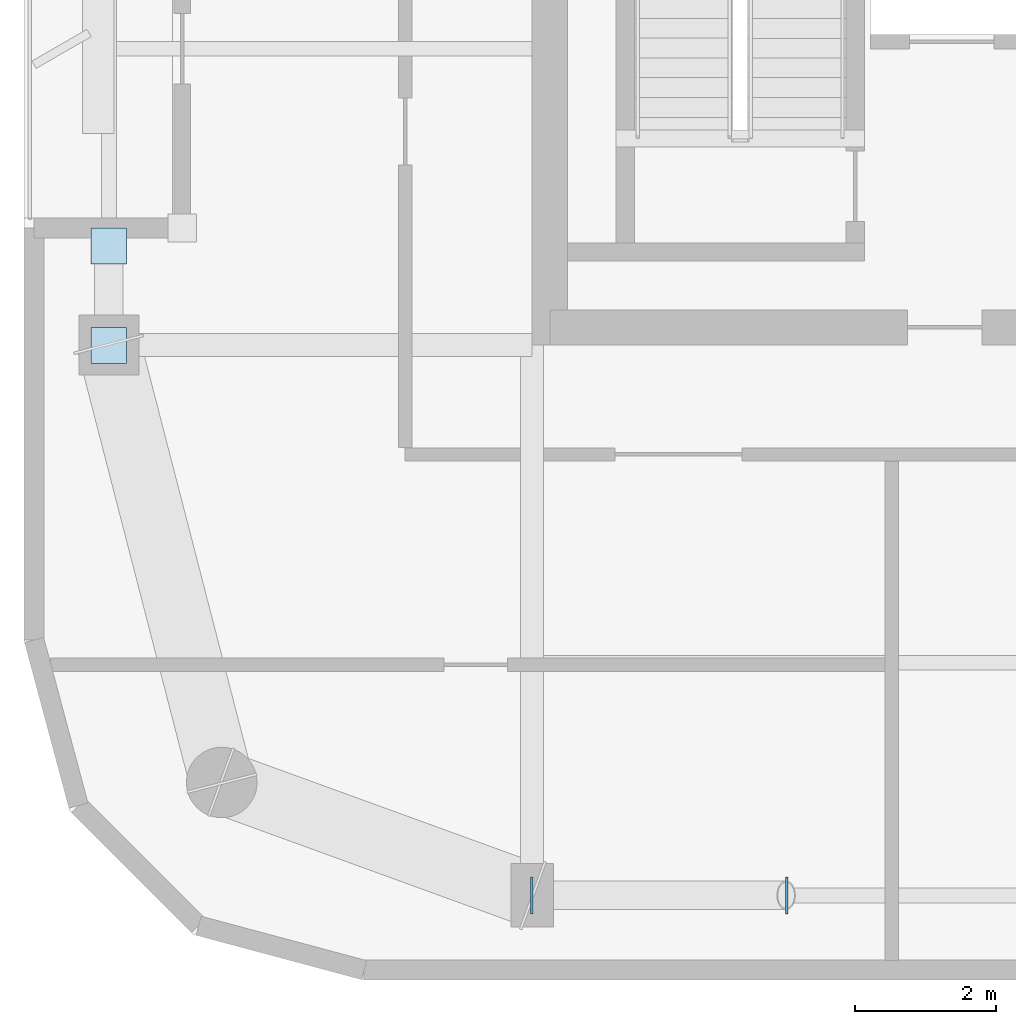
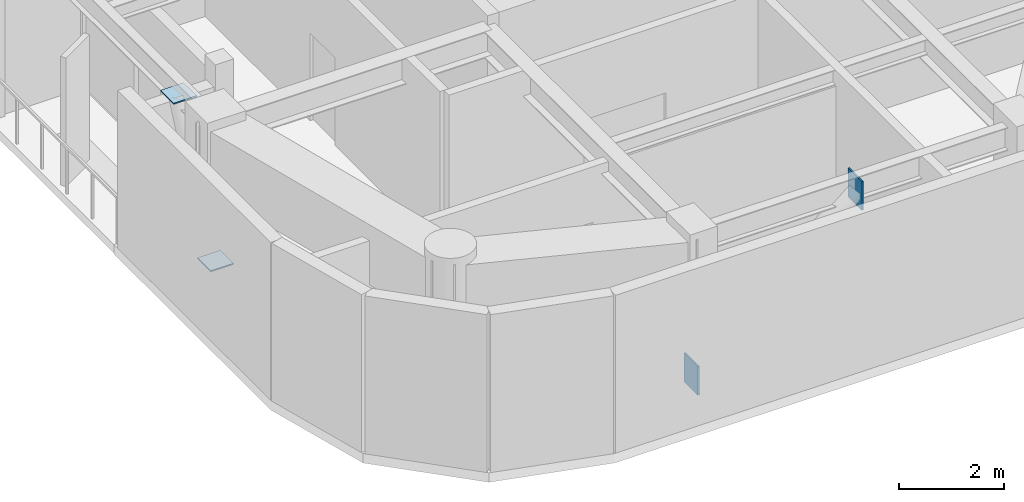
# One storey, part 8 of 16: 4 plates.
"""IFC4 building model written with IfcOpenShell, lengths in metres."""

import ifcopenshell
import ifcopenshell.guid

model = None  # the IFC model being written
_history = None  # IfcOwnerHistory: only IFC2X3 demands one
_inside = {}  # id of a spatial element -> (the spatial element, [elements in it])
_under = {}  # id of a project, library or spatial element -> (it, [spatial elements below it])
_declared = {}  # id of a project -> (the project, [libraries it declares])
_typed = {}  # id of a type object -> (the type object, [elements of that type])
_made_of = {}  # id of a material, layer set ... -> (it, [elements and type objects made of it])


def new_model(schema):
    """Start an empty IFC model of exactly this schema.

    Asked for "IFC4X3", IfcOpenShell would pick the latest addendum, in which some entities
    have other attributes; the version numbers below select the first issue.
    IFC2X3 requires an IfcOwnerHistory on every rooted entity: one is made here for all.
    """
    global model, _history
    if schema == "IFC4X3":
        model = ifcopenshell.file(schema_version=(4, 3, 0, 0))
    else:
        model = ifcopenshell.file(schema=schema)
    _inside.clear()
    _under.clear()
    _declared.clear()
    _typed.clear()
    _made_of.clear()
    _history = None
    if model.schema == "IFC2X3":
        org = make("IfcOrganization", Name="unknown")
        user = make(
            "IfcPersonAndOrganization",
            ThePerson=make("IfcPerson", FamilyName="unknown"),
            TheOrganization=org,
        )
        app = make(
            "IfcApplication",
            ApplicationDeveloper=org,
            Version="unknown",
            ApplicationFullName="unknown",
            ApplicationIdentifier="unknown",
        )
        _history = make(
            "IfcOwnerHistory",
            OwningUser=user,
            OwningApplication=app,
            ChangeAction="ADDED",
            CreationDate=0,
        )
    return model


def make(cls, **values):
    """One entity of the class cls with the attributes given. An attribute that is None is left unset."""
    return model.create_entity(
        cls, **{name: value for name, value in values.items() if value is not None}
    )


def rooted(cls, **values):
    """An entity with a GlobalId (a new one), such as an element, a storey or a relation."""
    return make(cls, GlobalId=ifcopenshell.guid.new(), OwnerHistory=_history, **values)


def si_unit(unit_type, name, prefix=None):
    """IfcSIUnit, for example si_unit("LENGTHUNIT", "METRE", prefix="MILLI")."""
    return make("IfcSIUnit", UnitType=unit_type, Prefix=prefix, Name=name)


def assignment(units):
    """IfcUnitAssignment: the units of a project."""
    return None if units is None else make("IfcUnitAssignment", Units=units)


def point(xyz):
    """IfcCartesianPoint."""
    return None if xyz is None else make("IfcCartesianPoint", Coordinates=xyz)


def direction(xyz):
    """IfcDirection."""
    return None if xyz is None else make("IfcDirection", DirectionRatios=xyz)


def frame(location, z_axis=None, x_axis=None):
    """IfcAxis2Placement3D, a coordinate frame: its origin and axes. An axis left out is left unset."""
    return make(
        "IfcAxis2Placement3D",
        Location=point(location),
        Axis=direction(z_axis),
        RefDirection=direction(x_axis),
    )


def frame_2d(location, x_axis=None):
    """IfcAxis2Placement2D, a coordinate frame in the plane: its origin and x axis."""
    return make(
        "IfcAxis2Placement2D", Location=point(location), RefDirection=direction(x_axis)
    )


def origin():
    """The frame at (0, 0, 0) with its axes left unset."""
    return frame((0.0, 0.0, 0.0))


def origin_2d():
    """The frame at (0, 0) in the plane with its x axis left unset."""
    return frame_2d((0.0, 0.0))


def place(relative_to, where):
    """IfcLocalPlacement: puts the frame where relative to a parent placement (None: the world)."""
    return make(
        "IfcLocalPlacement", PlacementRelTo=relative_to, RelativePlacement=where
    )


def context(
    kind, dimensions, precision=None, world=None, true_north=None, identifier=None
):
    """IfcGeometricRepresentationContext, for example the 3D "Model" context."""
    return make(
        "IfcGeometricRepresentationContext",
        ContextIdentifier=identifier,
        ContextType=kind,
        CoordinateSpaceDimension=dimensions,
        Precision=precision,
        WorldCoordinateSystem=world,
        TrueNorth=true_north,
    )


def subcontext(parent, identifier, kind, view, scale=None):
    """IfcGeometricRepresentationSubContext, for example "Body" below "Model"."""
    return make(
        "IfcGeometricRepresentationSubContext",
        ContextIdentifier=identifier,
        ContextType=kind,
        ParentContext=parent,
        TargetScale=scale,
        TargetView=view,
    )


def project(units=None, contexts=None):
    """IfcProject with its units and contexts."""
    return rooted(
        "IfcProject",
        Name="project",
        RepresentationContexts=contexts,
        UnitsInContext=assignment(units),
    )


def spatial(cls, under=None, at=None, **own):
    """A site, building, storey or space (cls), placed at a placement, below another one or the project."""
    s = rooted(cls, ObjectPlacement=at, **own)
    if under is not None:
        _under.setdefault(under.id(), (under, []))[1].append(s)
    return s


def profile(cls, at=None, kind="AREA", **sizes):
    """A parametric profile (cls). Its sizes go by their IFC names, for example OverallWidth=200.0."""
    return make(cls, ProfileType=kind, Position=at, **sizes)


def rectangle(**sizes):
    """IfcRectangleProfileDef."""
    return profile("IfcRectangleProfileDef", **sizes)


def extrude(swept, where, along, depth):
    """IfcExtrudedAreaSolid: the profile swept, set in the frame where, extruded along a direction by depth."""
    return make(
        "IfcExtrudedAreaSolid",
        SweptArea=swept,
        Position=where,
        ExtrudedDirection=direction(along),
        Depth=depth,
    )


def shape(context_of_items, identifier, shape_type, items):
    """IfcShapeRepresentation: the items that make up one representation, for example the "Body"."""
    return make(
        "IfcShapeRepresentation",
        ContextOfItems=context_of_items,
        RepresentationIdentifier=identifier,
        RepresentationType=shape_type,
        Items=items,
    )


def material(Name=None, Category=None):
    """IfcMaterial."""
    return make("IfcMaterial", Name=Name, Category=Category)


def layer(
    of_material, thickness, ventilated=None, Name=None, Category=None, Priority=None
):
    """IfcMaterialLayer: one layer of a wall or slab, of a material (None: an air gap)."""
    return make(
        "IfcMaterialLayer",
        Material=of_material,
        LayerThickness=thickness,
        IsVentilated=ventilated,
        Name=Name,
        Category=Category,
        Priority=Priority,
    )


def layer_set(layers, Name=None):
    """IfcMaterialLayerSet."""
    return make("IfcMaterialLayerSet", MaterialLayers=layers, LayerSetName=Name)


def made_of(thing, what):
    """Note that an element or type object is made of a material, layer set ...; save() writes the relation."""
    if what is not None:
        _made_of.setdefault(what.id(), (what, []))[1].append(thing)
    return thing


def type_object(cls, material=None, **own):
    """A type object (cls), such as IfcWallType, which elements share."""
    return made_of(rooted(cls, **own), material)


def element(
    cls,
    number,
    at=None,
    inside=None,
    cuts=None,
    type_object=None,
    material=None,
    context=None,
    identifier="Body",
    shape_type=None,
    held_by="IfcProductDefinitionShape",
    body=None,
    shapes=None,
    **own,
):
    """One element of the class cls, such as IfcWall. Its Tag is "e" and its number.

    at: its placement. inside: the storey or other place that contains it. cuts: it is an
    opening in that element (IfcRelVoidsElement). A single representation is given by context,
    identifier, shape_type and body (its items); several are given by shapes. held_by: the class
    of the entity that holds the representations. save() writes the other relations.
    """
    e = rooted(cls, Tag="e%d" % number, ObjectPlacement=at, **own)
    if body is not None:
        shapes = [shape(context, identifier, shape_type, body)]
    if shapes is not None:
        e.Representation = make(held_by, Representations=shapes)
    if inside is not None:
        _inside.setdefault(inside.id(), (inside, []))[1].append(e)
    if cuts is not None:
        rooted(
            "IfcRelVoidsElement", RelatingBuildingElement=cuts, RelatedOpeningElement=e
        )
    if type_object is not None:
        _typed.setdefault(type_object.id(), (type_object, []))[1].append(e)
    return made_of(e, material)


def aggregate(whole, parts):
    """IfcRelAggregates: a whole, such as a stair, and the parts it consists of."""
    return rooted("IfcRelAggregates", RelatingObject=whole, RelatedObjects=parts)


def save(model, path):
    """Write the relations noted so far, then the file.

    IfcRelAggregates (storeys below a building ...), IfcRelContainedInSpatialStructure (elements
    in a storey), IfcRelDefinesByType, IfcRelAssociatesMaterial and IfcRelDeclares: one each for
    every whole, place, type object, material and project.
    """
    for whole, parts in _under.values():
        aggregate(whole, parts)
    for where, things in _inside.values():
        rooted(
            "IfcRelContainedInSpatialStructure",
            RelatedElements=things,
            RelatingStructure=where,
        )
    for kind, things in _typed.values():
        rooted("IfcRelDefinesByType", RelatedObjects=things, RelatingType=kind)
    for what, things in _made_of.values():
        rooted("IfcRelAssociatesMaterial", RelatedObjects=things, RelatingMaterial=what)
    for by, libraries in _declared.values():
        rooted("IfcRelDeclares", RelatingContext=by, RelatedDefinitions=libraries)
    model.write(path)


model = new_model("IFC4")

# Units and contexts
model_context = context("Model", 3, precision=1e-05, world=origin(), true_north=direction((0.0, 1.0)))
body_context = subcontext(model_context, "Body", "Model", "MODEL_VIEW")
ifc_project = project(units=[si_unit("LENGTHUNIT", "METRE"), si_unit("AREAUNIT", "SQUARE_METRE"), si_unit("VOLUMEUNIT", "CUBIC_METRE"), si_unit("PLANEANGLEUNIT", "RADIAN"), si_unit("MASSUNIT", "GRAM", prefix="KILO")], contexts=[model_context])

# Site, building, storey
site_placement = place(None, origin())
site = spatial("IfcSite", under=ifc_project, at=site_placement, CompositionType="ELEMENT")
building_placement = place(site_placement, origin())
building = spatial("IfcBuilding", under=site, at=building_placement, Name="Kiyonajd Concourse Tower", CompositionType="ELEMENT")
storey_placement = place(building_placement, frame((0.0, 0.0, 329.699951171875)))
storey = spatial("IfcBuildingStorey", under=building, at=storey_placement, Name="L83", CompositionType="ELEMENT", Elevation=329.699951171875)

# Plates
ifc_material = material(Name="Steel ASTM A572 Grade 50", Category="steel")
ifc_layer = layer(ifc_material, 0.028076171875)
ifc_layer_set = layer_set([ifc_layer], Name="Steel ASTM A572 Grade 50")
plate_type = type_object("IfcPlateType", Name="PL-CAP-450", PredefinedType="USERDEFINED", material=ifc_layer_set)
for number, where, z_axis, x_axis, name in (
    (1, (32.3916015625, 19.800048828125, -0.04248046875), (0.0, 0.0, 1.0), (-1.0, 0.0, 0.0), "L83 Hollow Brace End Cap Plate PBS"),
    (2, (36.00830078125, 19.800048828125, 3.001708984375), (0.0, 0.0, 1.0), (1.0, 0.0, 0.0), "L83 Hollow Brace Top Cap Plate PBS"),
):
    element("IfcPlate", number, at=place(storey_placement, frame(where, z_axis=z_axis, x_axis=x_axis)), inside=storey, type_object=plate_type, Name=name, ObjectType="CAP PLATE", PredefinedType="USERDEFINED", context=body_context, shape_type="SweptSolid", body=[
        extrude(rectangle(XDim=0.035888671875, YDim=0.52587890625, at=origin_2d()), origin(), (0.0, 0.0, 1.0), 0.6708984375),
    ])
for number, where, z_axis, x_axis, name in (
    (3, (26.39990234375, 27.595458984375, 0.27587890625), (0.0, 0.0, 1.0), (1.0, 0.0, 0.0), "L83 Hollow Brace End Cap Plate PBW"),
    (4, (26.39990234375, 29.004638671875, 3.326171875), (0.0, 0.0, 1.0), (1.0, 0.0, 0.0), "L83 Hollow Brace Top Cap Plate PBW"),
):
    element("IfcPlate", number, at=place(storey_placement, frame(where, z_axis=z_axis, x_axis=x_axis)), inside=storey, type_object=plate_type, Name=name, ObjectType="CAP PLATE", PredefinedType="USERDEFINED", context=body_context, shape_type="SweptSolid", body=[
        extrude(rectangle(XDim=0.506103515625, YDim=0.506103515625, at=origin_2d()), origin(), (0.0, 0.0, 1.0), 0.028076171875),
    ])

save(model, "model.ifc")
